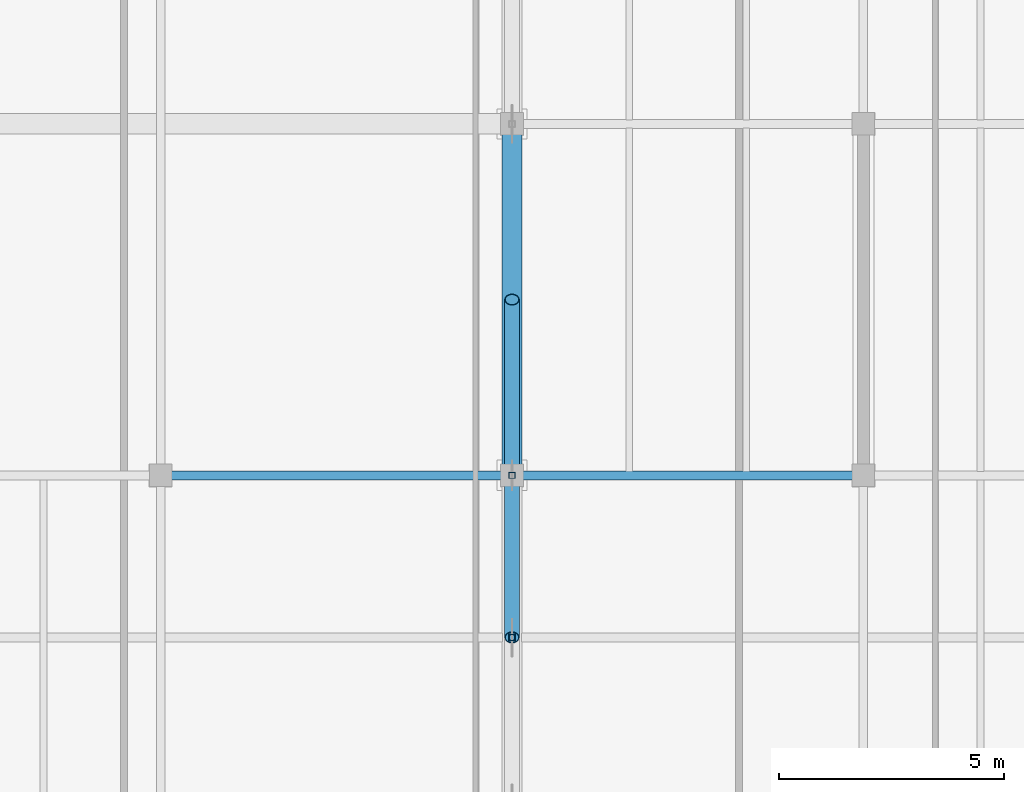
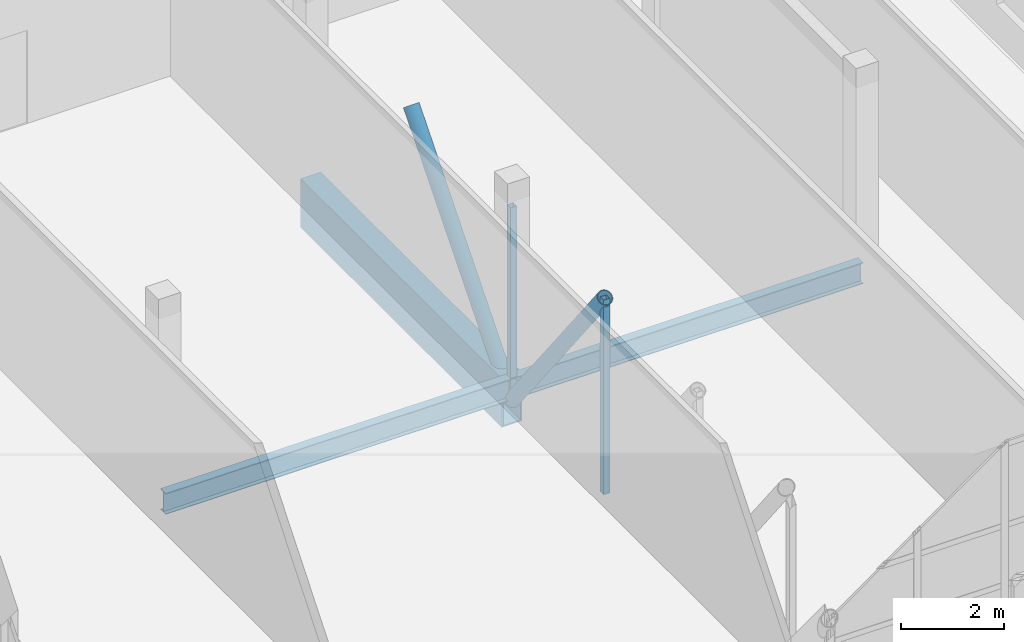
# One storey, part 27 of 89: 4 members, 3 beams.
"""IFC4 building model written with IfcOpenShell, lengths in metres."""

from ifc_helpers import new_model, si_unit, direction, frame, origin, origin_2d, place, context, subcontext, project, spatial, hollow_rectangle, hollow_circle, i_section, extrude, material, material_profile, profile_set, type_object, element, save


model = new_model("IFC4")

# Units and contexts
model_context = context("Model", 3, precision=1e-05, world=origin(), true_north=direction((0.0, 1.0)))
body_context = subcontext(model_context, "Body", "Model", "MODEL_VIEW")
ifc_project = project(units=[si_unit("LENGTHUNIT", "METRE"), si_unit("AREAUNIT", "SQUARE_METRE"), si_unit("VOLUMEUNIT", "CUBIC_METRE"), si_unit("PLANEANGLEUNIT", "RADIAN"), si_unit("MASSUNIT", "GRAM", prefix="KILO")], contexts=[model_context])

# Site, building, storey
site_placement = place(None, origin())
site = spatial("IfcSite", under=ifc_project, at=site_placement, CompositionType="ELEMENT")
building_placement = place(site_placement, origin())
building = spatial("IfcBuilding", under=site, at=building_placement, Name="Celorna Specialist Clinic", CompositionType="ELEMENT")
storey_placement = place(building_placement, frame((0.0, 0.0, 14.10009765625)))
storey = spatial("IfcBuildingStorey", under=building, at=storey_placement, Name="L03", CompositionType="ELEMENT", Elevation=14.10009765625)

# Beams
ifc_material = material(Name="Steel S355", Category="steel")
ifc_material_profile_1 = material_profile(ifc_material, hollow_rectangle(XDim=0.449951171875, YDim=1.14990234375, WallThickness=0.031982421875, at=origin_2d()), Name="BOX 450x1150x32")
ifc_profile_set_1 = profile_set([ifc_material_profile_1], Name="Steel S355")
beam_type_1 = type_object("IfcBeamType", Name="BM-01", PredefinedType="BEAM", material=ifc_profile_set_1)
beam_placement = place(storey_placement, frame((70.199951171875, 19.5, -0.835205078125), z_axis=(0.0, 1.0, 0.0), x_axis=(-1.0, 0.0, 0.0)))
element("IfcBeam", 1, at=beam_placement, inside=storey, type_object=beam_type_1, Name="Cantilever Pratt truss chord WP-040-WP-041", PredefinedType="BEAM", context=body_context, shape_type="SweptSolid", body=[
    extrude(hollow_rectangle(XDim=0.449951171875, YDim=1.14990234375, WallThickness=0.031982421875, at=origin_2d()), origin(), (0.0, 0.0, 1.0), 7.800048828125),
])
ifc_material_profile_2 = material_profile(ifc_material, i_section(OverallWidth=0.199951171875, OverallDepth=0.5, WebThickness=0.01025390625, FlangeThickness=0.01611328125, at=origin_2d()), Name="IPE 500")
ifc_profile_set_2 = profile_set([ifc_material_profile_2], Name="Steel S355")
beam_type_2 = type_object("IfcBeamType", Name="BM-08", PredefinedType="BEAM", material=ifc_profile_set_2)
for number, where, z_axis, x_axis, name in (
    (2, (62.39990234375, 19.5, -0.510009765625), (1.0, 0.0, 0.0), (0.0, 1.0, 0.0), "Primary girder BM-08 #2161"),
    (3, (70.199951171875, 19.5, -0.510009765625), (1.0, 0.0, 0.0), (0.0, 1.0, 0.0), "Primary girder BM-08 #2162"),
):
    element("IfcBeam", number, at=place(storey_placement, frame(where, z_axis=z_axis, x_axis=x_axis)), inside=storey, type_object=beam_type_2, Name=name, PredefinedType="BEAM", context=body_context, shape_type="SweptSolid", body=[
        extrude(i_section(OverallWidth=0.199951171875, OverallDepth=0.5, WebThickness=0.01025390625, FlangeThickness=0.01611328125, at=origin_2d()), origin(), (0.0, 0.0, 1.0), 7.800048828125),
    ])

# Members
ifc_material_profile_3 = material_profile(ifc_material, hollow_circle(Radius=0.161865234375, WallThickness=0.01611328125, at=origin_2d()), Name="CHS 323.9x16")
ifc_profile_set_3 = profile_set([ifc_material_profile_3], Name="Steel S355")
member_type_1 = type_object("IfcMemberType", Name="MB-05", PredefinedType="BRACE", material=ifc_profile_set_3)
member_1_placement = place(storey_placement, frame((70.199951171875, 15.89990234375, 3.764892578125), z_axis=(0.0, 0.616310515553, -0.787503237085), x_axis=(-1.0, 0.0, 0.0)))
element("IfcMember", 4, at=member_1_placement, inside=storey, type_object=member_type_1, Name="Cantilever Pratt truss web diagonal WP-061-WP-040", PredefinedType="BRACE", context=body_context, shape_type="SweptSolid", body=[
    extrude(hollow_circle(Radius=0.161865234375, WallThickness=0.01611328125, at=origin_2d()), origin(), (0.0, 0.0, 1.0), 5.84130859375),
])
member_2_placement = place(storey_placement, frame((70.199951171875, 19.5, -0.835205078125), z_axis=(0.0, 0.64666784298, 0.762771722638), x_axis=(-1.0, 0.0, 0.0)))
element("IfcMember", 5, at=member_2_placement, inside=storey, type_object=member_type_1, Name="Cantilever Pratt truss web diagonal WP-040-WP-062", PredefinedType="BRACE", context=body_context, shape_type="SweptSolid", body=[
    extrude(hollow_circle(Radius=0.161865234375, WallThickness=0.01611328125, at=origin_2d()), origin(), (0.0, 0.0, 1.0), 6.03076171875),
])
ifc_material_profile_4 = material_profile(ifc_material, hollow_rectangle(XDim=0.139892578125, YDim=0.139892578125, WallThickness=0.008056640625, at=origin_2d()), Name="SHS 140x140x8")
ifc_profile_set_4 = profile_set([ifc_material_profile_4], Name="Steel S355")
member_type_2 = type_object("IfcMemberType", Name="MB-10", PredefinedType="CHORD", material=ifc_profile_set_4)
for number, where, z_axis, x_axis, name in (
    (6, (70.199951171875, 15.89990234375, -0.835205078125), (0.0, 0.0, 1.0), (1.0, 0.0, 0.0), "Cantilever Pratt truss vertical post WP-054-WP-061"),
    (7, (70.199951171875, 19.5, -0.835205078125), (0.0, 0.0, 1.0), (1.0, 0.0, 0.0), "Cantilever Pratt truss vertical post WP-040-WP-045"),
):
    element("IfcMember", number, at=place(storey_placement, frame(where, z_axis=z_axis, x_axis=x_axis)), inside=storey, type_object=member_type_2, Name=name, PredefinedType="CHORD", context=body_context, shape_type="SweptSolid", body=[
        extrude(hollow_rectangle(XDim=0.139892578125, YDim=0.139892578125, WallThickness=0.008056640625, at=origin_2d()), origin(), (0.0, 0.0, 1.0), 4.60009765625),
    ])

save(model, "model.ifc")
